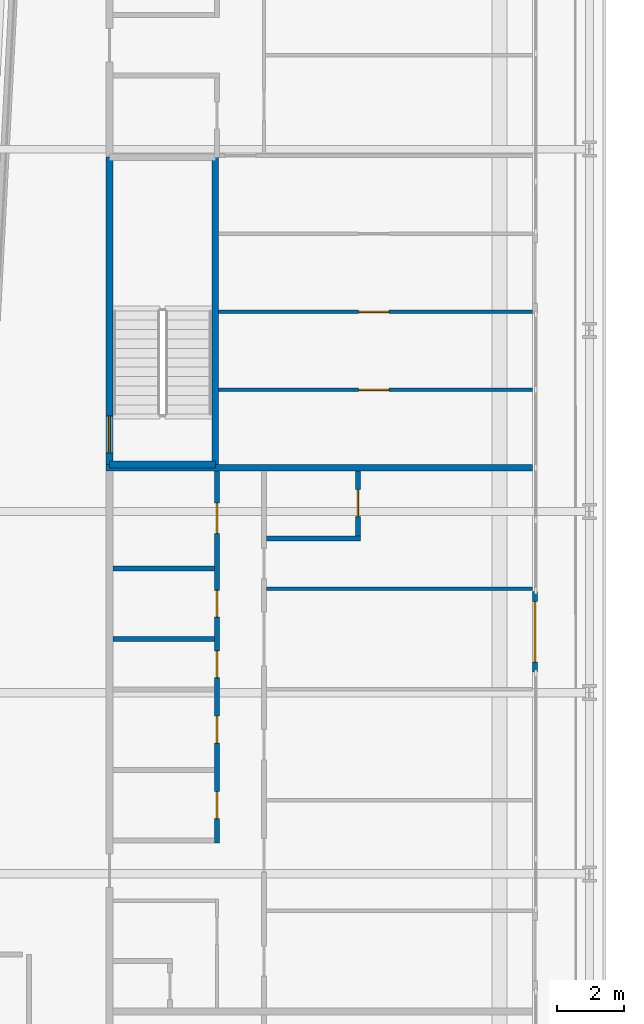
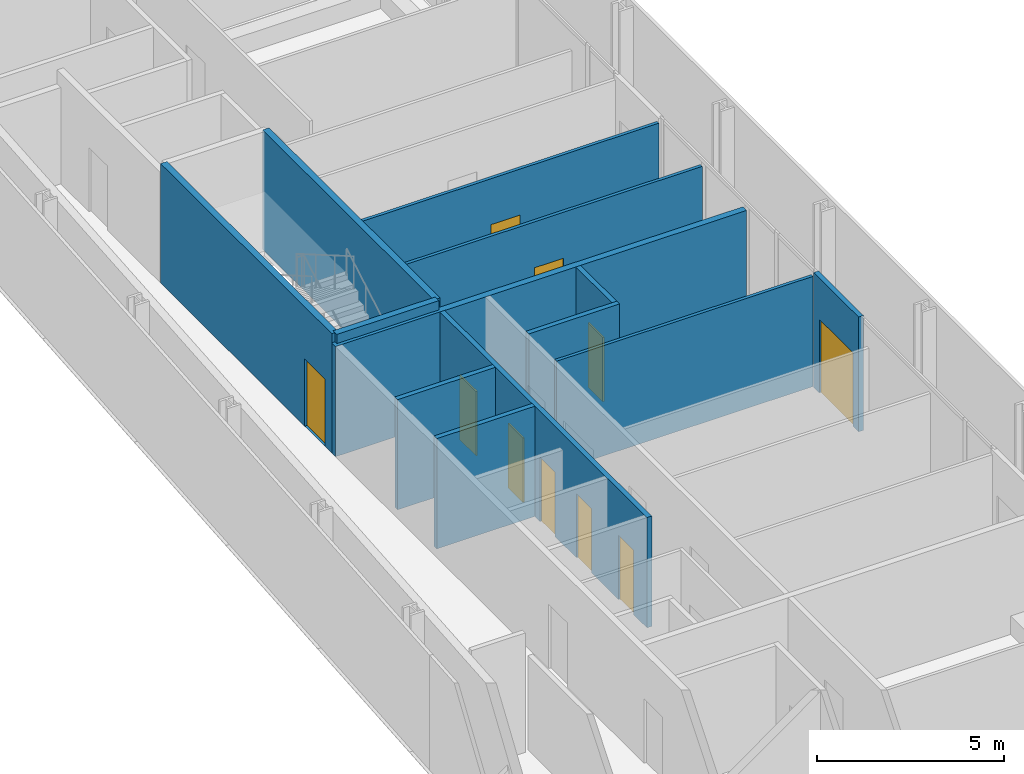
# One storey, part 18 of 28: 13 walls, 10 doors, 10 openings.
"""IFC4 building model written with IfcOpenShell, lengths in metres."""

from ifc_helpers import new_model, si_unit, direction, frame, frame_2d, origin, place, context, subcontext, project, spatial, rectangle, extrude, source, transform, mapped, material, layer, layer_set, type_object, element, fill, save


model = new_model("IFC4")

# Units and contexts
model_context = context("Model", 3, precision=1e-05, world=origin(), true_north=direction((0.0, 1.0)))
body_context = subcontext(model_context, "Body", "Model", "MODEL_VIEW")
ifc_project = project(units=[si_unit("LENGTHUNIT", "METRE"), si_unit("AREAUNIT", "SQUARE_METRE"), si_unit("VOLUMEUNIT", "CUBIC_METRE"), si_unit("PLANEANGLEUNIT", "RADIAN"), si_unit("MASSUNIT", "GRAM", prefix="KILO")], contexts=[model_context])

# Site, building, storey
site_placement = place(None, origin())
site = spatial("IfcSite", under=ifc_project, at=site_placement, CompositionType="ELEMENT")
building_placement = place(site_placement, origin())
building = spatial("IfcBuilding", under=site, at=building_placement, Name="Kheshtan School and Residences Tower", CompositionType="ELEMENT")
storey_placement = place(building_placement, frame((0.0, 0.0, 77.300048828125)))
storey = spatial("IfcBuildingStorey", under=building, at=storey_placement, Name="L18", CompositionType="ELEMENT", Elevation=77.300048828125)

# Wall, opening, door
ifc_material_1 = material(Name="Aluminium frame wall with insulated infill", Category="aluminium")
ifc_layer_1 = layer(ifc_material_1, 0.14990234375)
ifc_layer_set_1 = layer_set([ifc_layer_1], Name="Glazing frame wall 150")
wall_type_1 = type_object("IfcWallType", Name="Glazing frame wall 150", PredefinedType="SOLIDWALL", material=ifc_layer_set_1)
wall_1_placement = place(storey_placement, frame((45.97509765625, 75.612060546875, 0.0), z_axis=(0.0, 0.0, 1.0), x_axis=(0.0, -1.0, 0.0)))
wall_1 = element("IfcWall", 1, at=wall_1_placement, inside=storey, type_object=wall_type_1, Name="Balcony door wall L18 8.3", PredefinedType="SOLIDWALL", context=body_context, shape_type="SweptSolid", body=[
    extrude(rectangle(XDim=2.400146484375, YDim=0.14990234375, at=frame_2d((1.2001953125, 0.0))), origin(), (0.0, 0.0, 1.0), 3.75),
])
opening_1_placement = place(wall_1_placement, frame((0.300048828125, 0.0, 0.0)))
opening_1 = element("IfcOpeningElement", 2, at=opening_1_placement, cuts=wall_1, Name="Opening BD", PredefinedType="OPENING", context=body_context, shape_type="SweptSolid", body=[
    extrude(rectangle(XDim=1.800048828125, YDim=2.39990234375, at=frame_2d((0.89990234375, 1.199951171875))), frame((0.0, 0.0849609375, 0.0), z_axis=(0.0, -1.0, 0.0), x_axis=(1.0, 0.0, 0.0)), (0.0, 0.0, 1.0), 0.169921875),
])
ifc_material_2 = material(Name="Clear low-e glass in thermally broken aluminium frame", Category="aluminium")
door_type_1 = type_object("IfcDoorType", Name="Balcony sliding door", OperationType="SLIDING_TO_LEFT", PredefinedType="DOOR", material=ifc_material_2)
shared_shape_1 = source(origin(), body_context, "Body", "SweptSolid", [
    extrude(rectangle(XDim=1.800048828125, YDim=2.39990234375, at=frame_2d((0.89990234375, 1.199951171875))), frame((0.0, 0.02490234375, 0.0), z_axis=(0.0, -1.0, 0.0), x_axis=(1.0, 0.0, 0.0)), (0.0, 0.0, 1.0), 0.050048828125),
])
door_1_placement = place(opening_1_placement, origin())
door_1 = element("IfcDoor", 3, at=door_1_placement, inside=storey, type_object=door_type_1, Name="Balcony door L18 8.3", OperationType="SLIDING_TO_LEFT", OverallHeight=2.39990234375, OverallWidth=1.800048828125, PredefinedType="DOOR", context=body_context, shape_type="MappedRepresentation", body=[
    mapped(shared_shape_1, transform((0.0, 0.0, 0.0), x_axis=(1.0, 0.0, 0.0), y_axis=(0.0, 1.0, 0.0), z_axis=(0.0, 0.0, 1.0), scale=1.0)),
])
fill(opening_1, door_1)

ifc_material_3 = material(Name="Gypsum board on steel studs", Category="steel")
ifc_layer_2 = layer(ifc_material_3, 0.10009765625)
ifc_layer_set_2 = layer_set([ifc_layer_2], Name="Gypsum partition 100")
wall_type_2 = type_object("IfcWallType", Name="Gypsum partition 100", PredefinedType="PARTITIONING", material=ifc_layer_set_2)
wall_2_placement = place(storey_placement, frame((36.549072265625, 81.625, 0.0), z_axis=(0.0, 0.0, 1.0), x_axis=(1.0, 0.0, 0.0)))
wall_2 = element("IfcWall", 4, at=wall_2_placement, inside=storey, type_object=wall_type_2, Name="Partition L18-028", PredefinedType="PARTITIONING", context=body_context, shape_type="SweptSolid", body=[
    extrude(rectangle(XDim=9.350830078125, YDim=0.10009765625, at=frame_2d((4.67529296875, 0.0))), origin(), (0.0, 0.0, 1.0), 3.599853515625),
])
opening_2_placement = place(wall_2_placement, frame((4.1708984375, 0.0, 0.0)))
opening_2 = element("IfcOpeningElement", 5, at=opening_2_placement, cuts=wall_2, Name="Opening D17-065", PredefinedType="OPENING", context=body_context, shape_type="SweptSolid", body=[
    extrude(rectangle(XDim=0.89990234375, YDim=2.10009765625, at=frame_2d((0.449951171875, 1.050048828125))), frame((0.0, 0.06005859375, 0.0), z_axis=(0.0, -1.0, 0.0), x_axis=(1.0, 0.0, 0.0)), (0.0, 0.0, 1.0), 0.1201171875),
])
ifc_material_4 = material(Name="Veneered timber door leaf", Category="wood")
door_type_2 = type_object("IfcDoorType", Name="Door 900 x 2100", OperationType="SINGLE_SWING_LEFT", PredefinedType="DOOR", material=ifc_material_4)
shared_shape_2 = source(origin(), body_context, "Body", "SweptSolid", [
    extrude(rectangle(XDim=0.89990234375, YDim=2.10009765625, at=frame_2d((0.449951171875, 1.050048828125))), frame((0.0, 0.02490234375, 0.0), z_axis=(0.0, -1.0, 0.0), x_axis=(1.0, 0.0, 0.0)), (0.0, 0.0, 1.0), 0.050048828125),
])
door_2_placement = place(opening_2_placement, origin())
door_2 = element("IfcDoor", 6, at=door_2_placement, inside=storey, type_object=door_type_2, Name="Door D17-065", OperationType="SINGLE_SWING_RIGHT", OverallHeight=2.10009765625, OverallWidth=0.89990234375, PredefinedType="DOOR", context=body_context, shape_type="MappedRepresentation", body=[
    mapped(shared_shape_2, transform((0.0, 0.0, 0.0), x_axis=(1.0, 0.0, 0.0), y_axis=(0.0, 1.0, 0.0), z_axis=(0.0, 0.0, 1.0), scale=1.0)),
])
fill(opening_2, door_2)

wall_3_placement = place(storey_placement, frame((36.549072265625, 83.949951171875, 0.0), z_axis=(0.0, 0.0, 1.0), x_axis=(1.0, 0.0, 0.0)))
wall_3 = element("IfcWall", 7, at=wall_3_placement, inside=storey, type_object=wall_type_2, Name="Partition L18-029", PredefinedType="PARTITIONING", context=body_context, shape_type="SweptSolid", body=[
    extrude(rectangle(XDim=9.350830078125, YDim=0.10009765625, at=frame_2d((4.67529296875, 0.0))), origin(), (0.0, 0.0, 1.0), 3.599853515625),
])
opening_3_placement = place(wall_3_placement, frame((4.1708984375, 0.0, 0.0)))
opening_3 = element("IfcOpeningElement", 8, at=opening_3_placement, cuts=wall_3, Name="Opening D17-064", PredefinedType="OPENING", context=body_context, shape_type="SweptSolid", body=[
    extrude(rectangle(XDim=0.89990234375, YDim=2.10009765625, at=frame_2d((0.449951171875, 1.050048828125))), frame((0.0, 0.06005859375, 0.0), z_axis=(0.0, -1.0, 0.0), x_axis=(1.0, 0.0, 0.0)), (0.0, 0.0, 1.0), 0.1201171875),
])
door_3_placement = place(opening_3_placement, origin())
door_3 = element("IfcDoor", 9, at=door_3_placement, inside=storey, type_object=door_type_2, Name="Door D17-064", OperationType="SINGLE_SWING_RIGHT", OverallHeight=2.10009765625, OverallWidth=0.89990234375, PredefinedType="DOOR", context=body_context, shape_type="MappedRepresentation", body=[
    mapped(shared_shape_2, transform((0.0, 0.0, 0.0), x_axis=(1.0, 0.0, 0.0), y_axis=(0.0, 1.0, 0.0), z_axis=(0.0, 0.0, 1.0), scale=1.0)),
])
fill(opening_3, door_3)

# Walls
wall_4_placement = place(storey_placement, frame((37.97509765625, 75.699951171875, 0.0), z_axis=(0.0, 0.0, 1.0), x_axis=(1.0, 0.0, 0.0)))
element("IfcWall", 10, at=wall_4_placement, inside=storey, type_object=wall_type_2, Name="Partition L18-040", PredefinedType="PARTITIONING", context=body_context, shape_type="SweptSolid", body=[
    extrude(rectangle(XDim=7.9248046875, YDim=0.10009765625, at=frame_2d((3.96240234375, 0.0))), origin(), (0.0, 0.0, 1.0), 3.599853515625),
])
ifc_material_5 = material(Name="Concrete C40/50", Category="concrete")
ifc_layer_3 = layer(ifc_material_5, 0.199951171875)
ifc_layer_set_3 = layer_set([ifc_layer_3], Name="Stair enclosure wall 200 Concrete C40/50")
wall_type_3 = type_object("IfcWallType", Name="Stair enclosure wall 200 Concrete C40/50", PredefinedType="SHEAR", material=ifc_layer_set_3)
wall_5_placement = place(storey_placement, frame((33.300048828125, 79.39990234375, 0.0), z_axis=(0.0, 0.0, 1.0), x_axis=(1.0, 0.0, 0.0)))
element("IfcWall", 11, at=wall_5_placement, inside=storey, type_object=wall_type_3, Name="Stair enclosure wall ST3", PredefinedType="SHEAR", context=body_context, shape_type="SweptSolid", body=[
    extrude(rectangle(XDim=3.14990234375, YDim=0.199951171875, at=frame_2d((1.574951171875, 0.0))), origin(), (0.0, 0.0, 1.0), 3.89990234375),
])

# Wall, opening, door
wall_6_placement = place(storey_placement, frame((33.300048828125, 79.39990234375, 0.0), z_axis=(0.0, 0.0, 1.0), x_axis=(0.0, 1.0, 0.0)))
wall_6 = element("IfcWall", 12, at=wall_6_placement, inside=storey, type_object=wall_type_3, Name="Stair enclosure wall ST3", PredefinedType="SHEAR", context=body_context, shape_type="SweptSolid", body=[
    extrude(rectangle(XDim=9.16015625, YDim=0.199951171875, at=frame_2d((4.580078125, 0.0))), origin(), (0.0, 0.0, 1.0), 3.89990234375),
])
opening_4_placement = place(wall_6_placement, frame((0.35009765625, 0.0, 0.0)))
opening_4 = element("IfcOpeningElement", 13, at=opening_4_placement, cuts=wall_6, Name="Opening ST3D", PredefinedType="OPENING", context=body_context, shape_type="SweptSolid", body=[
    extrude(rectangle(XDim=1.10009765625, YDim=2.199951171875, at=frame_2d((0.550048828125, 1.10009765625))), frame((0.0, 0.10986328125, 0.0), z_axis=(0.0, -1.0, 0.0), x_axis=(1.0, 0.0, 0.0)), (0.0, 0.0, 1.0), 0.219970703125),
])
ifc_material_6 = material(Name="Steel door leaf, galvanised", Category="steel")
door_type_3 = type_object("IfcDoorType", Name="Stair door 1100 steel 90 min", OperationType="SINGLE_SWING_LEFT", PredefinedType="DOOR", material=ifc_material_6)
shared_shape_3 = source(origin(), body_context, "Body", "SweptSolid", [
    extrude(rectangle(XDim=1.10009765625, YDim=2.199951171875, at=frame_2d((0.550048828125, 1.10009765625))), frame((0.0, 0.02490234375, 0.0), z_axis=(0.0, -1.0, 0.0), x_axis=(1.0, 0.0, 0.0)), (0.0, 0.0, 1.0), 0.050048828125),
])
door_4_placement = place(opening_4_placement, origin())
door_4 = element("IfcDoor", 14, at=door_4_placement, inside=storey, type_object=door_type_3, Name="Stair ST3 door", OperationType="SINGLE_SWING_RIGHT", OverallHeight=2.199951171875, OverallWidth=1.10009765625, PredefinedType="DOOR", context=body_context, shape_type="MappedRepresentation", body=[
    mapped(shared_shape_3, transform((0.0, 0.0, 0.0), x_axis=(1.0, 0.0, 0.0), y_axis=(0.0, 1.0, 0.0), z_axis=(0.0, 0.0, 1.0), scale=1.0)),
])
fill(opening_4, door_4)

# Walls
wall_7_placement = place(storey_placement, frame((36.449951171875, 79.39990234375, 0.0), z_axis=(0.0, 0.0, 1.0), x_axis=(0.0, 1.0, 0.0)))
element("IfcWall", 15, at=wall_7_placement, inside=storey, type_object=wall_type_3, Name="Stair enclosure wall ST3", PredefinedType="SHEAR", context=body_context, shape_type="SweptSolid", body=[
    extrude(rectangle(XDim=9.16015625, YDim=0.199951171875, at=frame_2d((4.580078125, 0.0))), origin(), (0.0, 0.0, 1.0), 3.89990234375),
])
ifc_material_7 = material(Name="Twin gypsum board on steel studs with mineral wool", Category="steel")
ifc_layer_4 = layer(ifc_material_7, 0.199951171875)
ifc_layer_set_4 = layer_set([ifc_layer_4], Name="Unit demising wall 200")
wall_type_4 = type_object("IfcWallType", Name="Unit demising wall 200", PredefinedType="PARTITIONING", material=ifc_layer_set_4)
wall_8_placement = place(storey_placement, frame((33.199951171875, 79.300048828125, 0.0), z_axis=(0.0, 0.0, 1.0), x_axis=(1.0, 0.0, 0.0)))
element("IfcWall", 16, at=wall_8_placement, inside=storey, type_object=wall_type_4, Name="Partition L18-003", PredefinedType="PARTITIONING", context=body_context, shape_type="SweptSolid", body=[
    extrude(rectangle(XDim=12.699951171875, YDim=0.199951171875, at=frame_2d((6.35009765625, 0.0))), origin(), (0.0, 0.0, 1.0), 3.599853515625),
])
ifc_material_8 = material(Name="Moisture-resistant gypsum board on steel studs", Category="steel")
ifc_layer_5 = layer(ifc_material_8, 0.14990234375)
ifc_layer_set_5 = layer_set([ifc_layer_5], Name="Wet-room partition 150")
wall_type_5 = type_object("IfcWallType", Name="Wet-room partition 150", PredefinedType="PARTITIONING", material=ifc_layer_set_5)
for number, where, z_axis, x_axis, name in (
    (17, (33.39990234375, 74.199951171875, 0.0), (0.0, 0.0, 1.0), (1.0, 0.0, 0.0), "Partition L18-016"),
    (18, (33.39990234375, 76.300048828125, 0.0), (0.0, 0.0, 1.0), (1.0, 0.0, 0.0), "Partition L18-017"),
):
    element("IfcWall", number, at=place(storey_placement, frame(where, z_axis=z_axis, x_axis=x_axis)), inside=storey, type_object=wall_type_5, Name=name, PredefinedType="PARTITIONING", context=body_context, shape_type="SweptSolid", body=[
        extrude(rectangle(XDim=3.025146484375, YDim=0.14990234375, at=frame_2d((1.5126953125, 0.0))), origin(), (0.0, 0.0, 1.0), 3.599853515625),
    ])

# Wall, openings, doors
wall_9_placement = place(storey_placement, frame((36.5, 68.125, 0.0), z_axis=(0.0, 0.0, 1.0), x_axis=(0.0, 1.0, 0.0)))
wall_9 = element("IfcWall", 19, at=wall_9_placement, inside=storey, type_object=wall_type_5, Name="Partition L18-025", PredefinedType="PARTITIONING", context=body_context, shape_type="SweptSolid", body=[
    extrude(rectangle(XDim=11.074951171875, YDim=0.14990234375, at=frame_2d((5.53759765625, 0.0))), origin(), (0.0, 0.0, 1.0), 3.599853515625),
])
opening_5_placement = place(wall_9_placement, frame((0.72509765625, 0.0, 0.0)))
opening_5 = element("IfcOpeningElement", 20, at=opening_5_placement, cuts=wall_9, Name="Opening D17-042", PredefinedType="OPENING", context=body_context, shape_type="SweptSolid", body=[
    extrude(rectangle(XDim=0.800048828125, YDim=2.10009765625, at=frame_2d((0.39990234375, 1.050048828125))), frame((0.0, 0.0849609375, 0.0), z_axis=(0.0, -1.0, 0.0), x_axis=(1.0, 0.0, 0.0)), (0.0, 0.0, 1.0), 0.169921875),
])
opening_6_placement = place(wall_9_placement, frame((6.72509765625, 0.0, 0.0)))
opening_6 = element("IfcOpeningElement", 21, at=opening_6_placement, cuts=wall_9, Name="Opening D17-043", PredefinedType="OPENING", context=body_context, shape_type="SweptSolid", body=[
    extrude(rectangle(XDim=0.800048828125, YDim=2.10009765625, at=frame_2d((0.39990234375, 1.050048828125))), frame((0.0, 0.0849609375, 0.0), z_axis=(0.0, -1.0, 0.0), x_axis=(1.0, 0.0, 0.0)), (0.0, 0.0, 1.0), 0.169921875),
])
opening_7_placement = place(wall_9_placement, frame((2.97509765625, 0.0, 0.0)))
opening_7 = element("IfcOpeningElement", 22, at=opening_7_placement, cuts=wall_9, Name="Opening D17-046", PredefinedType="OPENING", context=body_context, shape_type="SweptSolid", body=[
    extrude(rectangle(XDim=0.800048828125, YDim=2.10009765625, at=frame_2d((0.39990234375, 1.050048828125))), frame((0.0, 0.0849609375, 0.0), z_axis=(0.0, -1.0, 0.0), x_axis=(1.0, 0.0, 0.0)), (0.0, 0.0, 1.0), 0.169921875),
])
opening_8_placement = place(wall_9_placement, frame((9.22509765625, 0.0, 0.0)))
opening_8 = element("IfcOpeningElement", 23, at=opening_8_placement, cuts=wall_9, Name="Opening D17-049", PredefinedType="OPENING", context=body_context, shape_type="SweptSolid", body=[
    extrude(rectangle(XDim=0.89990234375, YDim=2.10009765625, at=frame_2d((0.449951171875, 1.050048828125))), frame((0.0, 0.0849609375, 0.0), z_axis=(0.0, -1.0, 0.0), x_axis=(1.0, 0.0, 0.0)), (0.0, 0.0, 1.0), 0.169921875),
])
opening_9_placement = place(wall_9_placement, frame((4.925048828125, 0.0, 0.0)))
opening_9 = element("IfcOpeningElement", 24, at=opening_9_placement, cuts=wall_9, Name="Opening D17-055", PredefinedType="OPENING", context=body_context, shape_type="SweptSolid", body=[
    extrude(rectangle(XDim=0.800048828125, YDim=2.10009765625, at=frame_2d((0.39990234375, 1.050048828125))), frame((0.0, 0.0849609375, 0.0), z_axis=(0.0, -1.0, 0.0), x_axis=(1.0, 0.0, 0.0)), (0.0, 0.0, 1.0), 0.169921875),
])
door_type_4 = type_object("IfcDoorType", Name="Door 800 x 2100", OperationType="SINGLE_SWING_LEFT", PredefinedType="DOOR", material=ifc_material_4)
shared_shape_4 = source(origin(), body_context, "Body", "SweptSolid", [
    extrude(rectangle(XDim=0.800048828125, YDim=2.10009765625, at=frame_2d((0.39990234375, 1.050048828125))), frame((0.0, 0.02490234375, 0.0), z_axis=(0.0, -1.0, 0.0), x_axis=(1.0, 0.0, 0.0)), (0.0, 0.0, 1.0), 0.050048828125),
])
door_5_placement = place(opening_5_placement, origin())
door_5 = element("IfcDoor", 25, at=door_5_placement, inside=storey, type_object=door_type_4, Name="Door D17-042", OperationType="SINGLE_SWING_LEFT", OverallHeight=2.10009765625, OverallWidth=0.800048828125, PredefinedType="DOOR", context=body_context, shape_type="MappedRepresentation", body=[
    mapped(shared_shape_4, transform((0.0, 0.0, 0.0), x_axis=(1.0, 0.0, 0.0), y_axis=(0.0, 1.0, 0.0), z_axis=(0.0, 0.0, 1.0), scale=1.0)),
])
fill(opening_5, door_5)
door_6_placement = place(opening_6_placement, origin())
door_6 = element("IfcDoor", 26, at=door_6_placement, inside=storey, type_object=door_type_4, Name="Door D17-043", OperationType="SINGLE_SWING_LEFT", OverallHeight=2.10009765625, OverallWidth=0.800048828125, PredefinedType="DOOR", context=body_context, shape_type="MappedRepresentation", body=[
    mapped(shared_shape_4, transform((0.0, 0.0, 0.0), x_axis=(1.0, 0.0, 0.0), y_axis=(0.0, 1.0, 0.0), z_axis=(0.0, 0.0, 1.0), scale=1.0)),
])
fill(opening_6, door_6)
door_7_placement = place(opening_7_placement, origin())
door_7 = element("IfcDoor", 27, at=door_7_placement, inside=storey, type_object=door_type_4, Name="Door D17-046", OperationType="SINGLE_SWING_RIGHT", OverallHeight=2.10009765625, OverallWidth=0.800048828125, PredefinedType="DOOR", context=body_context, shape_type="MappedRepresentation", body=[
    mapped(shared_shape_4, transform((0.0, 0.0, 0.0), x_axis=(1.0, 0.0, 0.0), y_axis=(0.0, 1.0, 0.0), z_axis=(0.0, 0.0, 1.0), scale=1.0)),
])
fill(opening_7, door_7)
door_8_placement = place(opening_9_placement, origin())
door_8 = element("IfcDoor", 28, at=door_8_placement, inside=storey, type_object=door_type_4, Name="Door D17-055", OperationType="SINGLE_SWING_LEFT", OverallHeight=2.10009765625, OverallWidth=0.800048828125, PredefinedType="DOOR", context=body_context, shape_type="MappedRepresentation", body=[
    mapped(shared_shape_4, transform((0.0, 0.0, 0.0), x_axis=(1.0, 0.0, 0.0), y_axis=(0.0, 1.0, 0.0), z_axis=(0.0, 0.0, 1.0), scale=1.0)),
])
fill(opening_9, door_8)
door_9_placement = place(opening_8_placement, origin())
door_9 = element("IfcDoor", 29, at=door_9_placement, inside=storey, type_object=door_type_2, Name="Door D17-049", OperationType="SINGLE_SWING_RIGHT", OverallHeight=2.10009765625, OverallWidth=0.89990234375, PredefinedType="DOOR", context=body_context, shape_type="MappedRepresentation", body=[
    mapped(shared_shape_2, transform((0.0, 0.0, 0.0), x_axis=(1.0, 0.0, 0.0), y_axis=(0.0, 1.0, 0.0), z_axis=(0.0, 0.0, 1.0), scale=1.0)),
])
fill(opening_8, door_9)

# Wall
wall_10_placement = place(storey_placement, frame((37.97509765625, 77.199951171875, 0.0), z_axis=(0.0, 0.0, 1.0), x_axis=(1.0, 0.0, 0.0)))
element("IfcWall", 30, at=wall_10_placement, inside=storey, type_object=wall_type_5, Name="Partition L18-041", PredefinedType="PARTITIONING", context=body_context, shape_type="SweptSolid", body=[
    extrude(rectangle(XDim=2.7998046875, YDim=0.14990234375, at=frame_2d((1.39990234375, 0.0))), origin(), (0.0, 0.0, 1.0), 3.599853515625),
])

# Wall, opening, door
wall_11_placement = place(storey_placement, frame((40.699951171875, 77.27490234375, 0.0), z_axis=(0.0, 0.0, 1.0), x_axis=(0.0, 1.0, 0.0)))
wall_11 = element("IfcWall", 31, at=wall_11_placement, inside=storey, type_object=wall_type_5, Name="Partition L18-043", PredefinedType="PARTITIONING", context=body_context, shape_type="SweptSolid", body=[
    extrude(rectangle(XDim=1.925048828125, YDim=0.14990234375, at=frame_2d((0.96240234375, 0.0))), origin(), (0.0, 0.0, 1.0), 3.599853515625),
])
opening_10_placement = place(wall_11_placement, frame((0.574951171875, 0.0, 0.0)))
opening_10 = element("IfcOpeningElement", 32, at=opening_10_placement, cuts=wall_11, Name="Opening D17-047", PredefinedType="OPENING", context=body_context, shape_type="SweptSolid", body=[
    extrude(rectangle(XDim=0.800048828125, YDim=2.10009765625, at=frame_2d((0.39990234375, 1.050048828125))), frame((0.0, 0.0849609375, 0.0), z_axis=(0.0, -1.0, 0.0), x_axis=(1.0, 0.0, 0.0)), (0.0, 0.0, 1.0), 0.169921875),
])
door_10_placement = place(opening_10_placement, origin())
door_10 = element("IfcDoor", 33, at=door_10_placement, inside=storey, type_object=door_type_4, Name="Door D17-047", OperationType="SINGLE_SWING_RIGHT", OverallHeight=2.10009765625, OverallWidth=0.800048828125, PredefinedType="DOOR", context=body_context, shape_type="MappedRepresentation", body=[
    mapped(shared_shape_4, transform((0.0, 0.0, 0.0), x_axis=(1.0, 0.0, 0.0), y_axis=(0.0, 1.0, 0.0), z_axis=(0.0, 0.0, 1.0), scale=1.0)),
])
fill(opening_10, door_10)

save(model, "model.ifc")
